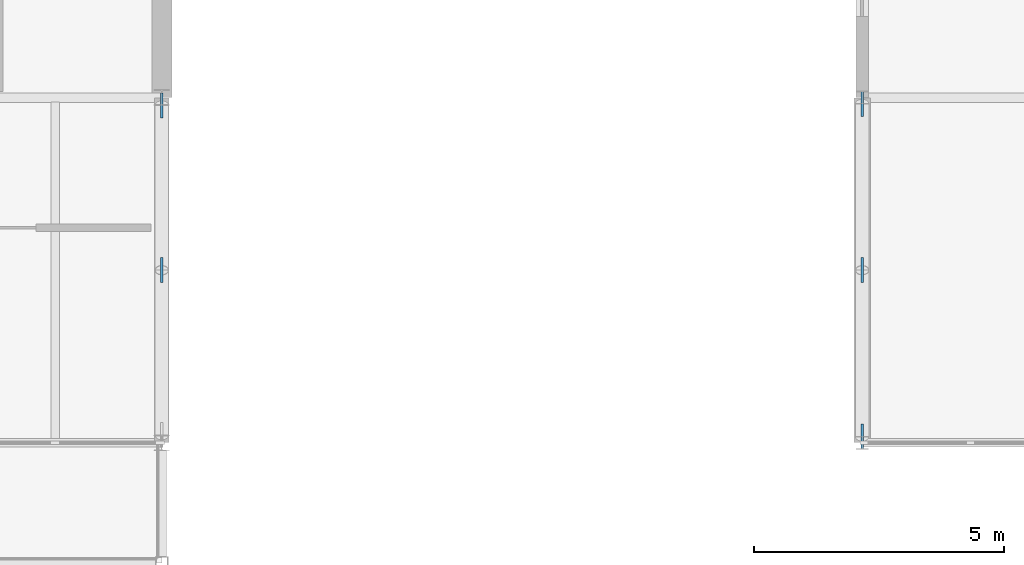
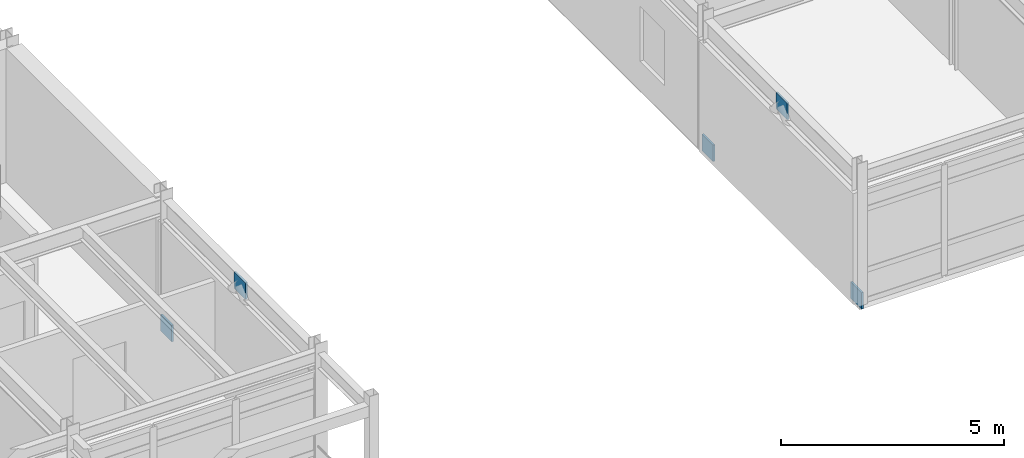
# One storey, part 45 of 57: 5 plates.
"""IFC4 building model written with IfcOpenShell, lengths in metres."""

from ifc_helpers import new_model, si_unit, direction, frame, origin, origin_2d, place, context, subcontext, project, spatial, rectangle, extrude, material, layer, layer_set, type_object, element, save


model = new_model("IFC4")

# Units and contexts
model_context = context("Model", 3, precision=1e-05, world=origin(), true_north=direction((0.0, 1.0)))
body_context = subcontext(model_context, "Body", "Model", "MODEL_VIEW")
ifc_project = project(units=[si_unit("LENGTHUNIT", "METRE"), si_unit("AREAUNIT", "SQUARE_METRE"), si_unit("VOLUMEUNIT", "CUBIC_METRE"), si_unit("PLANEANGLEUNIT", "RADIAN"), si_unit("MASSUNIT", "GRAM", prefix="KILO")], contexts=[model_context])

# Site, building, storey
site_placement = place(None, origin())
site = spatial("IfcSite", under=ifc_project, at=site_placement, CompositionType="ELEMENT")
building_placement = place(site_placement, origin())
building = spatial("IfcBuilding", under=site, at=building_placement, Name="Trelmorton Wharf Fire Station", CompositionType="ELEMENT")
storey_placement = place(building_placement, frame((0.0, 0.0, 13.5)))
storey = spatial("IfcBuildingStorey", under=building, at=storey_placement, Name="L03", CompositionType="ELEMENT", Elevation=13.5)

# Plates
ifc_material = material(Name="Steel Grade 350", Category="steel")
ifc_layer = layer(ifc_material, 0.050048828125)
ifc_layer_set = layer_set([ifc_layer], Name="Steel Grade 350")
plate_type = type_object("IfcPlateType", Name="PL_GUSSET_TN2", PredefinedType="USERDEFINED", material=ifc_layer_set)
for number, where, z_axis, x_axis, name in (
    (1, (90.0, 67.04248046875, -0.10498046875), (0.0, 0.0, 1.0), (1.0, 0.0, 0.0), "PL-CBF-0431"),
    (2, (90.0, 63.75, 3.05517578125), (0.0, 0.0, 1.0), (1.0, 0.0, 0.0), "PL-CBF-0432"),
    (3, (104.0, 60.427001953125, -0.10498046875), (0.0, 0.0, 1.0), (1.0, 0.0, 0.0), "PL-CBF-0448"),
    (4, (104.0, 67.072998046875, -0.10498046875), (0.0, 0.0, 1.0), (1.0, 0.0, 0.0), "PL-CBF-0449"),
    (5, (104.0, 63.75, 3.05517578125), (0.0, 0.0, 1.0), (1.0, 0.0, 0.0), "PL-CBF-0450"),
):
    element("IfcPlate", number, at=place(storey_placement, frame(where, z_axis=z_axis, x_axis=x_axis)), inside=storey, type_object=plate_type, Name=name, ObjectType="GUSSET PLATE", PredefinedType="USERDEFINED", context=body_context, shape_type="SweptSolid", body=[
        extrude(rectangle(XDim=0.050048828125, YDim=0.5, at=origin_2d()), origin(), (0.0, 0.0, 1.0), 0.449951171875),
    ])

save(model, "model.ifc")
